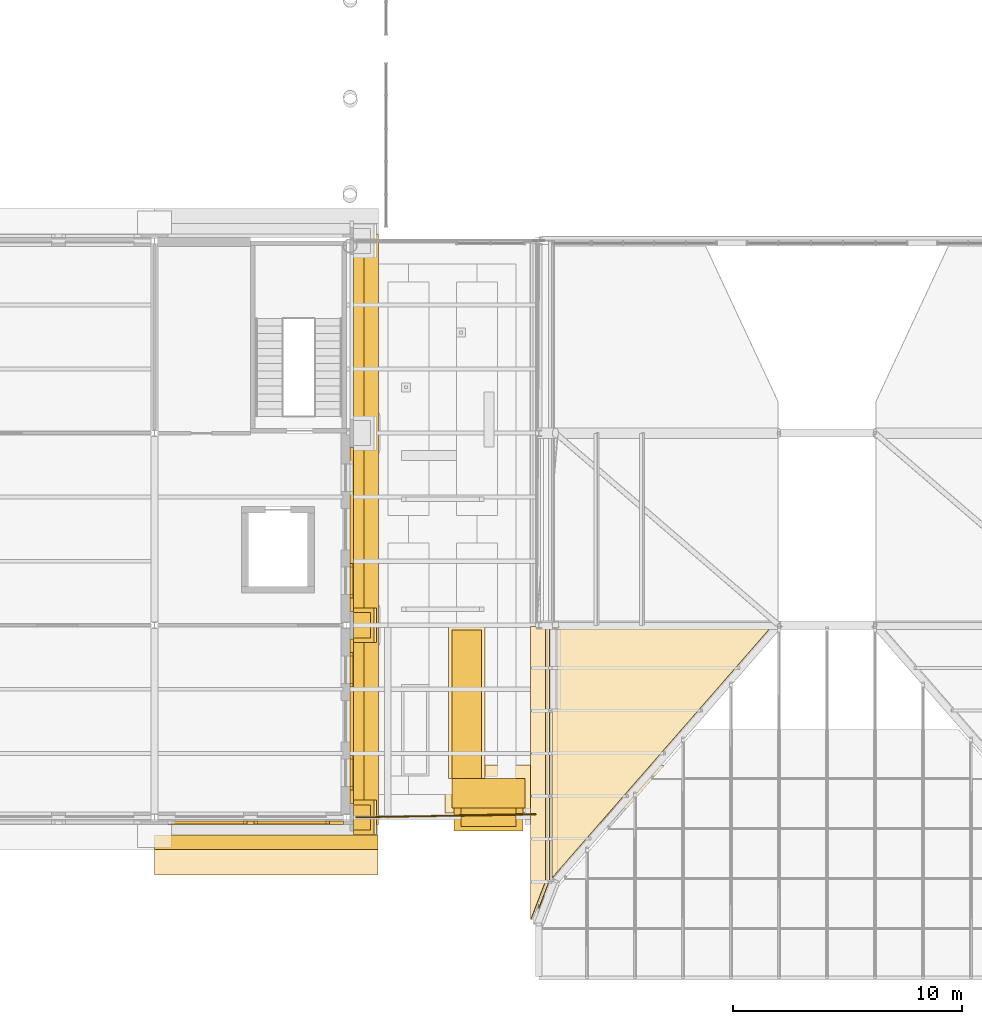
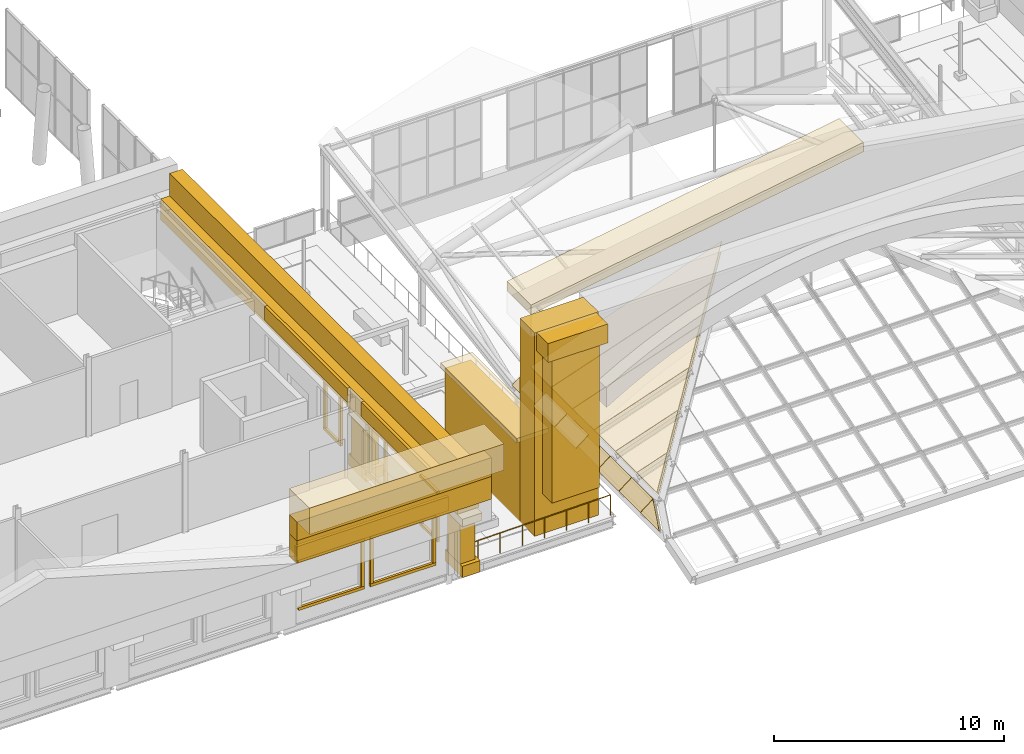
# One storey, part 55 of 76: 54 coverings, 1 railing.
"""IFC4 building model written with IfcOpenShell, lengths in metres."""

from ifc_helpers import new_model, si_unit, direction, frame, origin, origin_2d, place, context, subcontext, project, spatial, polyline, rectangle, circle, outline, extrude, material, layer, layer_set, type_object, element, save


model = new_model("IFC4")

# Units and contexts
model_context = context("Model", 3, precision=1e-05, world=origin(), true_north=direction((0.0, 1.0)))
body_context = subcontext(model_context, "Body", "Model", "MODEL_VIEW")
ifc_project = project(units=[si_unit("LENGTHUNIT", "METRE"), si_unit("AREAUNIT", "SQUARE_METRE"), si_unit("VOLUMEUNIT", "CUBIC_METRE"), si_unit("PLANEANGLEUNIT", "RADIAN"), si_unit("MASSUNIT", "GRAM", prefix="KILO")], contexts=[model_context])

# Site, building, storey
site_placement = place(None, origin())
site = spatial("IfcSite", under=ifc_project, at=site_placement, CompositionType="ELEMENT")
building_placement = place(site_placement, origin())
building = spatial("IfcBuilding", under=site, at=building_placement, Name="Sava Quay Ferry Terminal", CompositionType="ELEMENT")
storey_placement = place(building_placement, frame((0.0, 0.0, 10.800048828125)))
storey = spatial("IfcBuildingStorey", under=building, at=storey_placement, Name="L02", CompositionType="ELEMENT", Elevation=10.800048828125)

# Coverings
ifc_material_1 = material(Name="Limestone Mutalj", Category="masonry")
ifc_layer_1 = layer(ifc_material_1, 1.75)
ifc_layer_set_1 = layer_set([ifc_layer_1], Name="Limestone Mutalj")
covering_type_1 = type_object("IfcCoveringType", Name="Attic crown cornice 1400", PredefinedType="MOLDING", material=ifc_layer_set_1)
covering_1_placement = place(storey_placement, frame((38.489990234375, 23.56494140625, 6.39990234375), z_axis=(0.0, 0.0, 1.0), x_axis=(1.0, 0.0, 0.0)))
element("IfcCovering", 1, at=covering_1_placement, inside=storey, type_object=covering_type_1, Name="Attic crown cornice", PredefinedType="MOLDING", context=body_context, shape_type="SweptSolid", body=[
    extrude(rectangle(XDim=9.780029296875, YDim=1.75, at=origin_2d()), origin(), (0.0, 0.0, 1.0), 1.39990234375),
])
ifc_material_2 = material(Name="Limestone Mutalj", Category="masonry")
ifc_layer_2 = layer(ifc_material_2, 0.64990234375)
ifc_layer_set_2 = layer_set([ifc_layer_2], Name="Limestone Mutalj")
covering_type_2 = type_object("IfcCoveringType", Name="Attic frieze 1000", PredefinedType="CLADDING", material=ifc_layer_set_2)
covering_2_placement = place(storey_placement, frame((38.489990234375, 24.114990234375, 5.39990234375), z_axis=(0.0, 0.0, 1.0), x_axis=(1.0, 0.0, 0.0)))
element("IfcCovering", 2, at=covering_2_placement, inside=storey, type_object=covering_type_2, Name="Attic frieze", PredefinedType="CLADDING", context=body_context, shape_type="SweptSolid", body=[
    extrude(rectangle(XDim=9.780029296875, YDim=0.64990234375, at=origin_2d()), origin(), (0.0, 0.0, 1.0), 1.0),
])
ifc_material_3 = material(Name="Limestone Mutalj", Category="masonry")
ifc_layer_3 = layer(ifc_material_3, 0.64990234375)
ifc_layer_set_3 = layer_set([ifc_layer_3], Name="Limestone Mutalj")
covering_type_3 = type_object("IfcCoveringType", Name="Attic parapet 650", PredefinedType="MOLDING", material=ifc_layer_set_3)
covering_3_placement = place(storey_placement, frame((38.489990234375, 24.114990234375, 4.2001953125), z_axis=(0.0, 0.0, 1.0), x_axis=(1.0, 0.0, 0.0)))
element("IfcCovering", 3, at=covering_3_placement, inside=storey, type_object=covering_type_3, Name="Attic parapet W S", PredefinedType="MOLDING", context=body_context, shape_type="SweptSolid", body=[
    extrude(rectangle(XDim=9.780029296875, YDim=0.64990234375, at=origin_2d()), origin(), (0.0, 0.0, 1.0), 1.199951171875),
])
covering_4_placement = place(storey_placement, frame((43.074951171875, 37.800048828125, 4.2001953125), z_axis=(0.0, 0.0, 1.0), x_axis=(1.0, 0.0, 0.0)))
element("IfcCovering", 4, at=covering_4_placement, inside=storey, type_object=covering_type_3, Name="Attic parapet W E", PredefinedType="MOLDING", context=body_context, shape_type="SweptSolid", body=[
    extrude(rectangle(XDim=0.64990234375, YDim=25.820068359375, at=origin_2d()), origin(), (0.0, 0.0, 1.0), 1.199951171875),
])
ifc_material_4 = material(Name="Limestone Mutalj", Category="masonry")
ifc_layer_4 = layer(ifc_material_4, 1.10009765625)
ifc_layer_set_4 = layer_set([ifc_layer_4], Name="Limestone Mutalj")
covering_type_4 = type_object("IfcCoveringType", Name="Eaves cornice 1100", PredefinedType="MOLDING", material=ifc_layer_set_4)
covering_5_placement = place(storey_placement, frame((42.85009765625, 37.800048828125, 3.099853515625), z_axis=(0.0, 0.0, 1.0), x_axis=(1.0, 0.0, 0.0)))
element("IfcCovering", 5, at=covering_5_placement, inside=storey, type_object=covering_type_4, Name="Eaves cornice W E", PredefinedType="MOLDING", context=body_context, shape_type="SweptSolid", body=[
    extrude(rectangle(XDim=1.10009765625, YDim=25.820068359375, at=origin_2d()), origin(), (0.0, 0.0, 1.0), 1.10009765625),
])

# Railing
ifc_material_5 = material(Name="Steel S355", Category="steel")
railing_type = type_object("IfcRailingType", Name="Edge guard 1100", PredefinedType="GUARDRAIL", material=ifc_material_5)
railing_placement = place(storey_placement, frame((50.260009765625, 25.340087890625, 0.0)))
element("IfcRailing", 6, at=railing_placement, inside=storey, type_object=railing_type, Name="Terrace edge guard", PredefinedType="GUARDRAIL", context=body_context, shape_type="SweptSolid", body=[
    extrude(circle(Radius=0.02392578125, at=origin_2d()), frame((0.0, 0.0, 1.076171875), z_axis=(-0.999840291519, -0.017871526402, 0.0), x_axis=(0.017871526402, -0.999840291519, 0.0)), (0.0, 0.0, 1.0), 7.84130859375),
    extrude(circle(Radius=0.02099609375, at=origin_2d()), origin(), (0.0, 0.0, 1.0), 1.052001953125),
    extrude(circle(Radius=0.02099609375, at=origin_2d()), frame((-1.1201171875, -0.02001953125, 0.0)), (0.0, 0.0, 1.0), 1.052001953125),
    extrude(circle(Radius=0.02099609375, at=origin_2d()), frame((-2.239990234375, -0.0400390625, 0.0)), (0.0, 0.0, 1.0), 1.052001953125),
    extrude(circle(Radius=0.02099609375, at=origin_2d()), frame((-3.360107421875, -0.06005859375, 0.0)), (0.0, 0.0, 1.0), 1.052001953125),
    extrude(circle(Radius=0.02099609375, at=origin_2d()), frame((-4.47998046875, -0.080078125, 0.0)), (0.0, 0.0, 1.0), 1.052001953125),
    extrude(circle(Radius=0.02099609375, at=origin_2d()), frame((-5.60009765625, -0.10009765625, 0.0)), (0.0, 0.0, 1.0), 1.052001953125),
    extrude(circle(Radius=0.02099609375, at=origin_2d()), frame((-6.719970703125, -0.1201171875, 0.0)), (0.0, 0.0, 1.0), 1.052001953125),
    extrude(circle(Radius=0.02099609375, at=origin_2d()), frame((-7.840087890625, -0.14013671875, 0.0)), (0.0, 0.0, 1.0), 1.052001953125),
])

# Coverings
ifc_material_6 = material(Name="Limestone Mutalj", Category="masonry")
ifc_layer_5 = layer(ifc_material_6, 0.800048828125)
ifc_layer_set_5 = layer_set([ifc_layer_5], Name="Limestone Mutalj")
covering_type_5 = type_object("IfcCoveringType", Name="Frontispiece engaged pilaster 2400", PredefinedType="CLADDING", material=ifc_layer_set_5)
covering_6_placement = place(storey_placement, frame((48.199951171875, 25.199951171875, 2.10009765625), z_axis=(0.0, 0.0, 1.0), x_axis=(1.0, 0.0, 0.0)))
element("IfcCovering", 7, at=covering_6_placement, inside=storey, type_object=covering_type_5, Name="Frontispiece engaged pilaster", PredefinedType="CLADDING", context=body_context, shape_type="SweptSolid", body=[
    extrude(rectangle(XDim=2.39990234375, YDim=0.800048828125, at=origin_2d()), origin(), (0.0, 0.0, 1.0), 7.699951171875),
])
ifc_material_7 = material(Name="Limestone Mutalj", Category="masonry")
ifc_layer_6 = layer(ifc_material_7, 1.0)
ifc_layer_set_6 = layer_set([ifc_layer_6], Name="Limestone Mutalj")
covering_type_6 = type_object("IfcCoveringType", Name="Frontispiece pilaster capital 3000", PredefinedType="MOLDING", material=ifc_layer_set_6)
covering_7_placement = place(storey_placement, frame((48.199951171875, 25.10009765625, 9.800048828125), z_axis=(0.0, 0.0, 1.0), x_axis=(1.0, 0.0, 0.0)))
element("IfcCovering", 8, at=covering_7_placement, inside=storey, type_object=covering_type_6, Name="Frontispiece pilaster capital", PredefinedType="MOLDING", context=body_context, shape_type="SweptSolid", body=[
    extrude(rectangle(XDim=3.0, YDim=1.0, at=origin_2d()), origin(), (0.0, 0.0, 1.0), 1.0),
])
ifc_material_8 = material(Name="Limestone Mutalj", Category="masonry")
ifc_layer_7 = layer(ifc_material_8, 1.300048828125)
ifc_layer_set_7 = layer_set([ifc_layer_7], Name="Limestone Mutalj")
covering_type_7 = type_object("IfcCoveringType", Name="Frontispiece pylon 3200", PredefinedType="CLADDING", material=ifc_layer_set_7)
covering_8_placement = place(storey_placement, frame((48.199951171875, 26.25, 0.0), z_axis=(0.0, 0.0, 1.0), x_axis=(1.0, 0.0, 0.0)))
element("IfcCovering", 9, at=covering_8_placement, inside=storey, type_object=covering_type_7, Name="Frontispiece pylon", PredefinedType="CLADDING", context=body_context, shape_type="SweptSolid", body=[
    extrude(rectangle(XDim=3.199951171875, YDim=1.300048828125, at=origin_2d()), origin(), (0.0, 0.0, 1.0), 10.800048828125),
])
ifc_material_9 = material(Name="Limestone Mutalj", Category="masonry")
ifc_layer_8 = layer(ifc_material_9, 2.39990234375)
ifc_layer_set_8 = layer_set([ifc_layer_8], Name="Limestone Mutalj")
covering_type_8 = type_object("IfcCoveringType", Name="Frontispiece raking cornice 2400", PredefinedType="MOLDING", material=ifc_layer_set_8)
covering_9_placement = place(storey_placement, frame((46.300048828125, 25.39990234375, 12.0), z_axis=(0.0, -1.0, 0.0), x_axis=(0.986233299246, 0.0, 0.165359848385)))
element("IfcCovering", 10, at=covering_9_placement, inside=storey, type_object=covering_type_8, Name="Frontispiece raking cornice", PredefinedType="MOLDING", context=body_context, shape_type="SweptSolid", body=[
    extrude(outline(polyline([(0.0, 0.0), (16.933063591178456, 0.0), (17.015743515370783, 0.4931166496231403), (0.08267992419232778, 0.4931166496231404), (0.0, 0.0)])), origin(), (0.0, 0.0, -1.0), 2.10009765625),
])
ifc_material_10 = material(Name="Limestone Mutalj", Category="masonry")
ifc_layer_9 = layer(ifc_material_10, 0.25)
ifc_layer_set_9 = layer_set([ifc_layer_9], Name="Limestone Mutalj")
covering_type_9 = type_object("IfcCoveringType", Name="Frontispiece return coping 1600", PredefinedType="MOLDING", material=ifc_layer_set_9)
covering_10_placement = place(storey_placement, frame((47.25, 30.22509765625, 4.199951171875), z_axis=(0.0, 0.0, 1.0), x_axis=(1.0, 0.0, 0.0)))
element("IfcCovering", 11, at=covering_10_placement, inside=storey, type_object=covering_type_9, Name="Frontispiece return coping", PredefinedType="MOLDING", context=body_context, shape_type="SweptSolid", body=[
    extrude(rectangle(XDim=1.60009765625, YDim=6.64990234375, at=origin_2d()), origin(), (0.0, 0.0, 1.0), 0.25),
])
ifc_material_11 = material(Name="Limestone Mutalj", Category="masonry")
ifc_layer_10 = layer(ifc_material_11, 1.300048828125)
ifc_layer_set_10 = layer_set([ifc_layer_10], Name="Limestone Mutalj")
covering_type_10 = type_object("IfcCoveringType", Name="Frontispiece return wall 1300", PredefinedType="CLADDING", material=ifc_layer_set_10)
covering_11_placement = place(storey_placement, frame((47.25, 30.14990234375, 0.0), z_axis=(0.0, 0.0, 1.0), x_axis=(1.0, 0.0, 0.0)))
element("IfcCovering", 12, at=covering_11_placement, inside=storey, type_object=covering_type_10, Name="Frontispiece return wall", PredefinedType="CLADDING", context=body_context, shape_type="SweptSolid", body=[
    extrude(rectangle(XDim=1.300048828125, YDim=6.5, at=origin_2d()), origin(), (0.0, 0.0, 1.0), 4.199951171875),
])
ifc_material_12 = material(Name="Limestone Mutalj", Category="masonry")
ifc_layer_11 = layer(ifc_material_12, 0.89990234375)
ifc_layer_set_11 = layer_set([ifc_layer_11], Name="Limestone Mutalj")
covering_type_11 = type_object("IfcCoveringType", Name="Giant-order pilaster base 1500", PredefinedType="MOLDING", material=ifc_layer_set_11)
for number, where, z_axis, x_axis, name in (
    (13, (42.75, 25.199951171875, 0.0), (0.0, 0.0, 1.0), (1.0, 0.0, 0.0), "Giant-order pilaster base"),
    (14, (42.75, 33.60009765625, 0.0), (0.0, 0.0, 1.0), (1.0, 0.0, 0.0), "Giant-order pilaster base"),
):
    element("IfcCovering", number, at=place(storey_placement, frame(where, z_axis=z_axis, x_axis=x_axis)), inside=storey, type_object=covering_type_11, Name=name, PredefinedType="MOLDING", context=body_context, shape_type="SweptSolid", body=[
        extrude(rectangle(XDim=0.89990234375, YDim=1.5, at=origin_2d()), origin(), (0.0, 0.0, 1.0), 0.60009765625),
    ])
ifc_material_13 = material(Name="Limestone Mutalj", Category="masonry")
ifc_layer_12 = layer(ifc_material_13, 0.75)
ifc_layer_set_12 = layer_set([ifc_layer_12], Name="Limestone Mutalj")
covering_type_12 = type_object("IfcCoveringType", Name="Giant-order pilaster shaft 1100", PredefinedType="CLADDING", material=ifc_layer_set_12)
for number, where, z_axis, x_axis, name in (
    (15, (42.675048828125, 25.199951171875, 0.599853515625), (0.0, 0.0, 1.0), (1.0, 0.0, 0.0), "Giant-order pilaster"),
    (16, (42.675048828125, 33.60009765625, 0.599853515625), (0.0, 0.0, 1.0), (1.0, 0.0, 0.0), "Giant-order pilaster"),
):
    element("IfcCovering", number, at=place(storey_placement, frame(where, z_axis=z_axis, x_axis=x_axis)), inside=storey, type_object=covering_type_12, Name=name, PredefinedType="CLADDING", context=body_context, shape_type="SweptSolid", body=[
        extrude(rectangle(XDim=0.75, YDim=1.10009765625, at=origin_2d()), origin(), (0.0, 0.0, 1.0), 2.10009765625),
    ])
ifc_material_14 = material(Name="Glulam GL28h", Category="wood")
ifc_layer_13 = layer(ifc_material_14, 0.06005859375)
ifc_layer_set_13 = layer_set([ifc_layer_13], Name="Glulam GL28h")
covering_type_13 = type_object("IfcCoveringType", Name="Glulam soffit lining 60", PredefinedType="CEILING", material=ifc_layer_set_13)
covering_12_placement = place(storey_placement, frame((50.86328125, 22.44873046875, 2.117919921875), z_axis=(-0.615667483411, 0.0, 0.788006059539), x_axis=(-0.345817393259, -0.898559757141, -0.270186404851)))
element("IfcCovering", 17, at=covering_12_placement, inside=storey, type_object=covering_type_13, Name="Arrivals hall stern timber soffit lining AS-F0", PredefinedType="CEILING", context=body_context, shape_type="SweptSolid", body=[
    extrude(outline(polyline([(0.0, 0.0), (1.381605472823946, 1.1102230246251565e-16), (-9.610175931359823, -5.36831998044703), (-9.876259830682631, -4.823505947903907), (0.0, 0.0)])), origin(), (0.0, 0.0, -1.0), 0.06005859375),
])
covering_13_placement = place(storey_placement, frame((60.47998046875, 33.43994140625, 5.497314453125), z_axis=(-0.325554896469, 0.0, 0.945523140587), x_axis=(-0.641512811265, -0.734624469863, -0.220880513538)))
element("IfcCovering", 18, at=covering_13_placement, inside=storey, type_object=covering_type_13, Name="Arrivals hall stern timber soffit lining AS-F1", PredefinedType="CEILING", context=body_context, shape_type="SweptSolid", body=[
    extrude(outline(polyline([(0.0, 0.0), (14.455195900270128, 4.440892098500626e-16), (6.654115348230145, -7.204810187236646), (0.0, 0.0)])), origin(), (0.0, 0.0, -1.0), 0.06005859375),
])
ifc_material_15 = material(Name="Limestone Mutalj", Category="masonry")
ifc_layer_14 = layer(ifc_material_15, 0.14990234375)
ifc_layer_set_14 = layer_set([ifc_layer_14], Name="Limestone Mutalj")
covering_type_14 = type_object("IfcCoveringType", Name="Limestone string course 150", PredefinedType="CLADDING", material=ifc_layer_set_14)
covering_14_placement = place(storey_placement, frame((0.0, 0.0, 3.449951171875)))
element("IfcCovering", 19, at=covering_14_placement, inside=storey, type_object=covering_type_14, Name="String course W-E", PredefinedType="CLADDING", context=body_context, shape_type="SweptSolid", body=[
    extrude(outline(polyline([(42.14990234375, 25.800048828125), (42.14990234375, 33.0), (42.300048828125, 33.0), (42.300048828125, 25.800048828125), (42.14990234375, 25.800048828125)])), origin(), (0.0, 0.0, 1.0), 0.75),
])
covering_15_placement = place(storey_placement, frame((0.0, 0.0, 3.449951171875)))
element("IfcCovering", 20, at=covering_15_placement, inside=storey, type_object=covering_type_14, Name="String course W-E", PredefinedType="CLADDING", context=body_context, shape_type="SweptSolid", body=[
    extrude(outline(polyline([(42.14990234375, 34.199951171875), (42.14990234375, 41.39990234375), (42.300048828125, 41.39990234375), (42.300048828125, 34.199951171875), (42.14990234375, 34.199951171875)])), origin(), (0.0, 0.0, 1.0), 0.75),
])
covering_16_placement = place(storey_placement, frame((0.0, 0.0, 3.449951171875)))
element("IfcCovering", 21, at=covering_16_placement, inside=storey, type_object=covering_type_14, Name="String course W-S", PredefinedType="CLADDING", context=body_context, shape_type="SweptSolid", body=[
    extrude(outline(polyline([(34.199951171875, 25.0400390625), (41.8701171875, 25.0400390625), (41.8701171875, 24.889892578125), (34.199951171875, 24.889892578125), (34.199951171875, 25.0400390625)])), origin(), (0.0, 0.0, 1.0), 0.75),
])
ifc_material_16 = material(Name="Limestone Mutalj", Category="masonry")
ifc_layer_15 = layer(ifc_material_16, 1.0)
ifc_layer_set_15 = layer_set([ifc_layer_15], Name="Limestone Mutalj")
covering_type_15 = type_object("IfcCoveringType", Name="Pilaster capital block 1500", PredefinedType="MOLDING", material=ifc_layer_set_15)
for number, where, z_axis, x_axis, name in (
    (22, (42.800048828125, 25.199951171875, 2.699951171875), (0.0, 0.0, 1.0), (1.0, 0.0, 0.0), "Giant-order capital"),
    (23, (42.800048828125, 33.60009765625, 2.699951171875), (0.0, 0.0, 1.0), (1.0, 0.0, 0.0), "Giant-order capital"),
):
    element("IfcCovering", number, at=place(storey_placement, frame(where, z_axis=z_axis, x_axis=x_axis)), inside=storey, type_object=covering_type_15, Name=name, PredefinedType="MOLDING", context=body_context, shape_type="SweptSolid", body=[
        extrude(rectangle(XDim=1.0, YDim=1.5, at=origin_2d()), origin(), (0.0, 0.0, 1.0), 0.39990234375),
    ])
ifc_material_17 = material(Name="Limestone Mutalj", Category="masonry")
ifc_layer_16 = layer(ifc_material_17, 0.1201171875)
ifc_layer_set_16 = layer_set([ifc_layer_16], Name="Limestone Mutalj")
covering_type_16 = type_object("IfcCoveringType", Name="Plain window architrave 150", PredefinedType="MOLDING", material=ifc_layer_set_16)
for number, where, z_axis, x_axis, name in (
    (24, (42.2099609375, 26.47509765625, 0.89990234375), (0.0, 0.0, 1.0), (1.0, 0.0, 0.0), "Plain window architrave"),
    (25, (42.2099609375, 27.824951171875, 0.89990234375), (0.0, 0.0, 1.0), (1.0, 0.0, 0.0), "Plain window architrave"),
):
    element("IfcCovering", number, at=place(storey_placement, frame(where, z_axis=z_axis, x_axis=x_axis)), inside=storey, type_object=covering_type_16, Name=name, PredefinedType="MOLDING", context=body_context, shape_type="SweptSolid", body=[
        extrude(rectangle(XDim=0.1201171875, YDim=0.14990234375, at=origin_2d()), origin(), (0.0, 0.0, 1.0), 2.39990234375),
    ])
for number, where, z_axis, x_axis, name in (
    (26, (42.2099609375, 27.14990234375, 3.300048828125), (0.0, 0.0, 1.0), (1.0, 0.0, 0.0), "Plain window architrave"),
    (27, (42.2099609375, 27.14990234375, 0.75), (0.0, 0.0, 1.0), (1.0, 0.0, 0.0), "Plain window architrave"),
):
    element("IfcCovering", number, at=place(storey_placement, frame(where, z_axis=z_axis, x_axis=x_axis)), inside=storey, type_object=covering_type_16, Name=name, PredefinedType="MOLDING", context=body_context, shape_type="SweptSolid", body=[
        extrude(rectangle(XDim=0.1201171875, YDim=1.5, at=origin_2d()), origin(), (0.0, 0.0, 1.0), 0.14990234375),
    ])
for number, where, z_axis, x_axis, name in (
    (28, (42.2099609375, 30.97509765625, 0.89990234375), (0.0, 0.0, 1.0), (1.0, 0.0, 0.0), "Plain window architrave"),
    (29, (42.2099609375, 32.324951171875, 0.89990234375), (0.0, 0.0, 1.0), (1.0, 0.0, 0.0), "Plain window architrave"),
):
    element("IfcCovering", number, at=place(storey_placement, frame(where, z_axis=z_axis, x_axis=x_axis)), inside=storey, type_object=covering_type_16, Name=name, PredefinedType="MOLDING", context=body_context, shape_type="SweptSolid", body=[
        extrude(rectangle(XDim=0.1201171875, YDim=0.14990234375, at=origin_2d()), origin(), (0.0, 0.0, 1.0), 2.39990234375),
    ])
for number, where, z_axis, x_axis, name in (
    (30, (42.2099609375, 31.64990234375, 3.300048828125), (0.0, 0.0, 1.0), (1.0, 0.0, 0.0), "Plain window architrave"),
    (31, (42.2099609375, 31.64990234375, 0.75), (0.0, 0.0, 1.0), (1.0, 0.0, 0.0), "Plain window architrave"),
):
    element("IfcCovering", number, at=place(storey_placement, frame(where, z_axis=z_axis, x_axis=x_axis)), inside=storey, type_object=covering_type_16, Name=name, PredefinedType="MOLDING", context=body_context, shape_type="SweptSolid", body=[
        extrude(rectangle(XDim=0.1201171875, YDim=1.5, at=origin_2d()), origin(), (0.0, 0.0, 1.0), 0.14990234375),
    ])
for number, where, z_axis, x_axis, name in (
    (32, (42.2099609375, 34.875, 0.89990234375), (0.0, 0.0, 1.0), (1.0, 0.0, 0.0), "Plain window architrave"),
    (33, (42.2099609375, 36.22509765625, 0.89990234375), (0.0, 0.0, 1.0), (1.0, 0.0, 0.0), "Plain window architrave"),
):
    element("IfcCovering", number, at=place(storey_placement, frame(where, z_axis=z_axis, x_axis=x_axis)), inside=storey, type_object=covering_type_16, Name=name, PredefinedType="MOLDING", context=body_context, shape_type="SweptSolid", body=[
        extrude(rectangle(XDim=0.1201171875, YDim=0.14990234375, at=origin_2d()), origin(), (0.0, 0.0, 1.0), 2.39990234375),
    ])
for number, where, z_axis, x_axis, name in (
    (34, (42.2099609375, 35.550048828125, 3.300048828125), (0.0, 0.0, 1.0), (1.0, 0.0, 0.0), "Plain window architrave"),
    (35, (42.2099609375, 35.550048828125, 0.75), (0.0, 0.0, 1.0), (1.0, 0.0, 0.0), "Plain window architrave"),
):
    element("IfcCovering", number, at=place(storey_placement, frame(where, z_axis=z_axis, x_axis=x_axis)), inside=storey, type_object=covering_type_16, Name=name, PredefinedType="MOLDING", context=body_context, shape_type="SweptSolid", body=[
        extrude(rectangle(XDim=0.1201171875, YDim=1.5, at=origin_2d()), origin(), (0.0, 0.0, 1.0), 0.14990234375),
    ])
covering_17_placement = place(storey_placement, frame((37.574951171875, 24.97998046875, 0.89990234375), z_axis=(0.0, 0.0, 1.0), x_axis=(1.0, 0.0, 0.0)))
element("IfcCovering", 36, at=covering_17_placement, inside=storey, type_object=covering_type_16, Name="Plain window architrave", PredefinedType="MOLDING", context=body_context, shape_type="SweptSolid", body=[
    extrude(rectangle(XDim=0.14990234375, YDim=0.1201171875, at=origin_2d()), origin(), (0.0, 0.0, 1.0), 2.39990234375),
])
for number, where, z_axis, x_axis, name in (
    (37, (36.0, 24.97998046875, 3.300048828125), (0.0, 0.0, 1.0), (1.0, 0.0, 0.0), "Plain window architrave"),
    (38, (36.0, 24.97998046875, 0.75), (0.0, 0.0, 1.0), (1.0, 0.0, 0.0), "Plain window architrave"),
):
    element("IfcCovering", number, at=place(storey_placement, frame(where, z_axis=z_axis, x_axis=x_axis)), inside=storey, type_object=covering_type_16, Name=name, PredefinedType="MOLDING", context=body_context, shape_type="SweptSolid", body=[
        extrude(rectangle(XDim=3.300048828125, YDim=0.1201171875, at=origin_2d()), origin(), (0.0, 0.0, 1.0), 0.14990234375),
    ])
for number, where, z_axis, x_axis, name in (
    (39, (38.02490234375, 24.97998046875, 0.89990234375), (0.0, 0.0, 1.0), (1.0, 0.0, 0.0), "Plain window architrave"),
    (40, (41.175048828125, 24.97998046875, 0.89990234375), (0.0, 0.0, 1.0), (1.0, 0.0, 0.0), "Plain window architrave"),
):
    element("IfcCovering", number, at=place(storey_placement, frame(where, z_axis=z_axis, x_axis=x_axis)), inside=storey, type_object=covering_type_16, Name=name, PredefinedType="MOLDING", context=body_context, shape_type="SweptSolid", body=[
        extrude(rectangle(XDim=0.14990234375, YDim=0.1201171875, at=origin_2d()), origin(), (0.0, 0.0, 1.0), 2.39990234375),
    ])
for number, where, z_axis, x_axis, name in (
    (41, (39.60009765625, 24.97998046875, 3.300048828125), (0.0, 0.0, 1.0), (1.0, 0.0, 0.0), "Plain window architrave"),
    (42, (39.60009765625, 24.97998046875, 0.75), (0.0, 0.0, 1.0), (1.0, 0.0, 0.0), "Plain window architrave"),
):
    element("IfcCovering", number, at=place(storey_placement, frame(where, z_axis=z_axis, x_axis=x_axis)), inside=storey, type_object=covering_type_16, Name=name, PredefinedType="MOLDING", context=body_context, shape_type="SweptSolid", body=[
        extrude(rectangle(XDim=3.300048828125, YDim=0.1201171875, at=origin_2d()), origin(), (0.0, 0.0, 1.0), 0.14990234375),
    ])
ifc_material_18 = material(Name="Zinc standing seam sheet")
ifc_layer_17 = layer(ifc_material_18, 0.0400390625)
ifc_layer_set_17 = layer_set([ifc_layer_17], Name="Zinc standing seam sheet")
covering_type_17 = type_object("IfcCoveringType", Name="Standing seam roofing 40", PredefinedType="ROOFING", material=ifc_layer_set_17)
covering_18_placement = place(storey_placement, frame((50.04638671875, 33.550048828125, 2.0), z_axis=(-0.615535081264, 0.0, 0.788109487149), x_axis=(0.788109487149, 0.0, 0.615535081264)))
element("IfcCovering", 43, at=covering_18_placement, inside=storey, type_object=covering_type_17, Name="Arrivals hall stern roofing AS-F0", PredefinedType="ROOFING", context=body_context, shape_type="SweptSolid", body=[
    extrude(outline(polyline([(0.0, 0.0), (0.8261834903558853, 0.0), (0.8261834903558853, -1.809326171875), (0.0, -1.809326171875), (0.0, 0.0)])), origin(), (0.0, 0.0, -1.0), 0.0400390625),
])
covering_19_placement = place(storey_placement, frame((50.04638671875, 31.720703125, 2.0), z_axis=(-0.615535081264, 0.0, 0.788109487149), x_axis=(0.788109487149, 0.0, 0.615535081264)))
element("IfcCovering", 44, at=covering_19_placement, inside=storey, type_object=covering_type_17, Name="Arrivals hall stern roofing AS-F0", PredefinedType="ROOFING", context=body_context, shape_type="SweptSolid", body=[
    extrude(outline(polyline([(0.0, 0.0), (0.8261834903558855, 0.0), (0.8261834903558855, -1.8493652343750004), (0.0, -1.8493652343750004), (0.0, 0.0)])), origin(), (0.0, 0.0, -1.0), 0.0400390625),
])
covering_20_placement = place(storey_placement, frame((50.04638671875, 29.851318359375, 2.0), z_axis=(-0.615535081264, 0.0, 0.788109487149), x_axis=(0.788109487149, 0.0, 0.615535081264)))
element("IfcCovering", 45, at=covering_20_placement, inside=storey, type_object=covering_type_17, Name="Arrivals hall stern roofing AS-F0", PredefinedType="ROOFING", context=body_context, shape_type="SweptSolid", body=[
    extrude(outline(polyline([(0.0, 0.0), (0.8261834903558853, 0.0), (0.8261834903558853, -1.8491210937499998), (0.0, -1.8491210937499998), (0.0, 0.0)])), origin(), (0.0, 0.0, -1.0), 0.0400390625),
])
covering_21_placement = place(storey_placement, frame((50.04638671875, 27.982177734375, 2.0), z_axis=(-0.615535081264, 0.0, 0.788109487149), x_axis=(0.788109487149, 0.0, 0.615535081264)))
element("IfcCovering", 46, at=covering_21_placement, inside=storey, type_object=covering_type_17, Name="Arrivals hall stern roofing AS-F0", PredefinedType="ROOFING", context=body_context, shape_type="SweptSolid", body=[
    extrude(outline(polyline([(0.0, 0.0), (0.8261834903558855, 0.0), (0.8261834903558855, -1.8493652343750004), (0.0, -1.8493652343750004), (0.0, 0.0)])), origin(), (0.0, 0.0, -1.0), 0.0400390625),
])
covering_22_placement = place(storey_placement, frame((50.04638671875, 26.11279296875, 2.0), z_axis=(-0.615535081264, 0.0, 0.788109487149), x_axis=(0.788109487149, 0.0, 0.615535081264)))
element("IfcCovering", 47, at=covering_22_placement, inside=storey, type_object=covering_type_17, Name="Arrivals hall stern roofing AS-F0", PredefinedType="ROOFING", context=body_context, shape_type="SweptSolid", body=[
    extrude(outline(polyline([(0.0, 0.0), (0.8261834903558853, 0.0), (0.8261834903558853, -1.8491210937499998), (0.0, -1.8491210937499998), (0.0, 0.0)])), origin(), (0.0, 0.0, -1.0), 0.0400390625),
])
covering_23_placement = place(storey_placement, frame((50.686279296875, 22.394287109375, 2.5), z_axis=(-0.615536417543, 4.8242887e-05, 0.788108441999), x_axis=(-0.788108442916, 1.0517e-08, -0.61553641826)))
element("IfcCovering", 48, at=covering_23_placement, inside=storey, type_object=covering_type_17, Name="Arrivals hall stern roofing AS-F0", PredefinedType="ROOFING", context=body_context, shape_type="SweptSolid", body=[
    extrude(outline(polyline([(0.0, 0.0), (0.812072952509667, 0.0), (0.8120729719597808, -1.8493652322229157), (-0.014110518394915665, -1.8493652409796557), (-0.01411053753947657, -0.029052743097931846), (0.0, 0.0)])), origin(), (0.0, 0.0, -1.0), 0.0400390625),
])
covering_24_placement = place(storey_placement, frame((50.04638671875, 20.731201171875, 2.0), z_axis=(-0.61556137146, 0.0, 0.78808895308), x_axis=(0.0, 1.0, 0.0)))
element("IfcCovering", 49, at=covering_24_placement, inside=storey, type_object=covering_type_17, Name="Arrivals hall stern roofing AS-F0", PredefinedType="ROOFING", context=body_context, shape_type="SweptSolid", body=[
    extrude(outline(polyline([(0.0, 0.0), (1.64306640625, 0.0), (1.64306640625, -0.8023513288427848), (0.0, 0.0)])), origin(), (0.0, 0.0, -1.0), 0.0400390625),
])
covering_25_placement = place(storey_placement, frame((59.008056640625, 31.745361328125, 5.42431640625), z_axis=(-0.325572349845, 6.466656e-05, 0.94551712879), x_axis=(-0.945517130767, 8.88e-10, -0.325572350526)))
element("IfcCovering", 50, at=covering_25_placement, inside=storey, type_object=covering_type_17, Name="Arrivals hall stern roofing AS-F1", PredefinedType="ROOFING", context=body_context, shape_type="SweptSolid", body=[
    extrude(outline(polyline([(0.0, 0.0), (8.501815517061187, 0.0), (8.501815518663149, -1.8046874962266113), (-1.666914148568328, -1.8046875127998299), (0.0, 0.0)])), origin(), (0.0, 0.0, -1.0), 0.0400390625),
])
covering_26_placement = place(storey_placement, frame((57.3798828125, 29.880615234375, 4.863525390625), z_axis=(-0.325569672004, -7.167854e-06, 0.945518053037), x_axis=(-0.945518053062, 1.4e-11, -0.325569672013)))
element("IfcCovering", 51, at=covering_26_placement, inside=storey, type_object=covering_type_17, Name="Arrivals hall stern roofing AS-F1", PredefinedType="ROOFING", context=body_context, shape_type="SweptSolid", body=[
    extrude(outline(polyline([(0.0, 0.0), (6.779771221657046, -1.6940658945086007e-21), (6.779771221682834, -1.8447265624526108), (-1.703667580275431, -1.8447265626659846), (0.0, 0.0)])), origin(), (0.0, 0.0, -1.0), 0.0400390625),
])
covering_27_placement = place(storey_placement, frame((55.75146484375, 28.015869140625, 4.302978515625), z_axis=(-0.325594682481, 5.04668e-06, 0.945509440839), x_axis=(-0.945509440851, 9e-12, -0.325594682485)))
element("IfcCovering", 52, at=covering_27_placement, inside=storey, type_object=covering_type_17, Name="Arrivals hall stern roofing AS-F1", PredefinedType="ROOFING", context=body_context, shape_type="SweptSolid", body=[
    extrude(outline(polyline([(0.0, 0.0), (5.0575755740480375, -1.6940658945086007e-21), (5.057575574065174, -1.8447265624765083), (-1.7036675803875878, -1.8447265625863014), (0.0, 0.0)])), origin(), (0.0, 0.0, -1.0), 0.0400390625),
])
covering_28_placement = place(storey_placement, frame((54.123291015625, 26.151123046875, 3.7421875), z_axis=(-0.325570192259, -6.913776e-06, 0.9455178739), x_axis=(-0.945517873923, 2.6e-11, -0.325570192266)))
element("IfcCovering", 53, at=covering_28_placement, inside=storey, type_object=covering_type_17, Name="Arrivals hall stern roofing AS-F1", PredefinedType="ROOFING", context=body_context, shape_type="SweptSolid", body=[
    extrude(outline(polyline([(0.0, 0.0), (3.335531276986462, 0.0), (3.335531277035229, -1.8447265624559108), (-1.7036675802667454, -1.8447265626773062), (0.0, 0.0)])), origin(), (0.0, 0.0, -1.0), 0.0400390625),
])
covering_29_placement = place(storey_placement, frame((52.494873046875, 24.286376953125, 3.181640625), z_axis=(-0.325586240369, 6.3491044e-05, 0.945512345795), x_axis=(-0.945512347701, 4.609e-09, -0.325586241025)))
element("IfcCovering", 54, at=covering_29_placement, inside=storey, type_object=covering_type_17, Name="Arrivals hall stern roofing AS-F1", PredefinedType="ROOFING", context=body_context, shape_type="SweptSolid", body=[
    extrude(outline(polyline([(0.0, 0.0), (1.613335629668495, 6.776263578034403e-21), (1.613335638171339, -1.8447265587818498), (-1.703588083171841, -1.8447265815067495), (0.0, 0.0)])), origin(), (0.0, 0.0, -1.0), 0.0400390625),
])
covering_30_placement = place(storey_placement, frame((50.969482421875, 22.53955078125, 2.65625), z_axis=(-0.325627370029, 0.0, 0.945498183969), x_axis=(0.0, 1.0, 0.0)))
element("IfcCovering", 55, at=covering_30_placement, inside=storey, type_object=covering_type_17, Name="Arrivals hall stern roofing AS-F1", PredefinedType="ROOFING", context=body_context, shape_type="SweptSolid", body=[
    extrude(outline(polyline([(0.0, 0.0), (1.72705078125, 0.0), (1.72705078125, -1.5947280762309584), (0.0, 0.0)])), origin(), (0.0, 0.0, -1.0), 0.0400390625),
])

save(model, "model.ifc")
